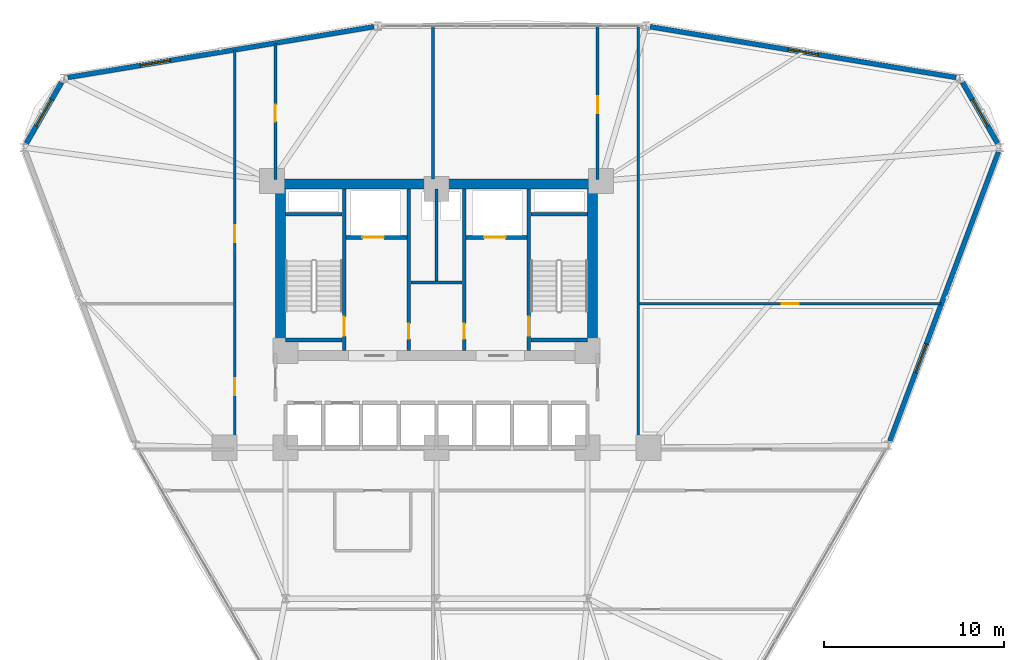
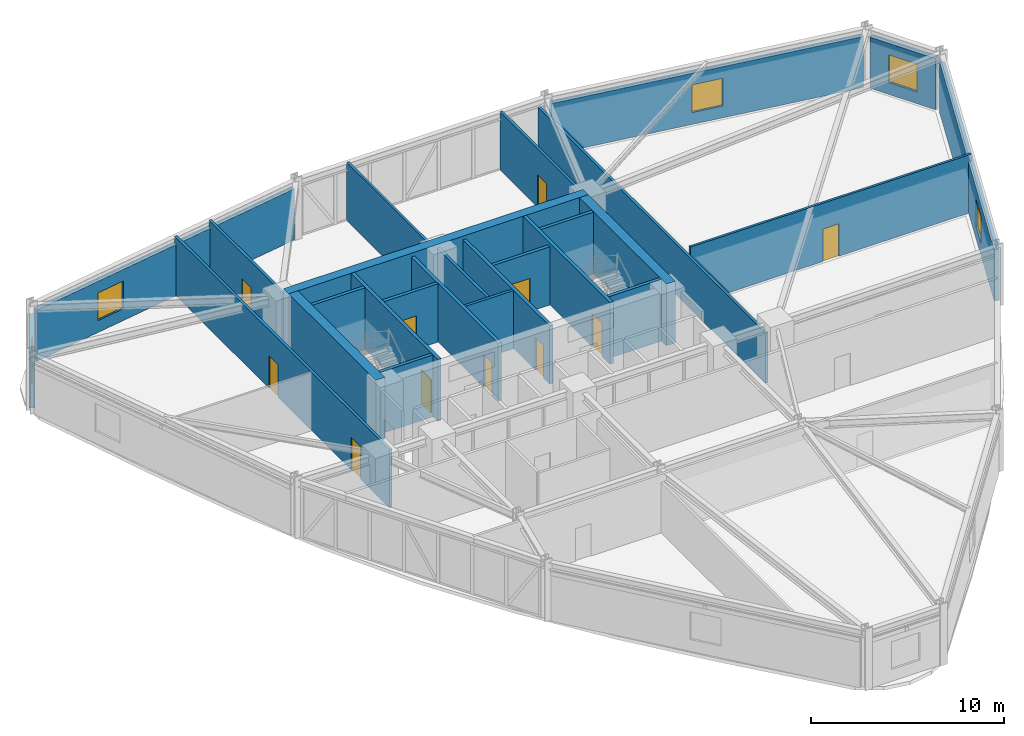
# One storey, part 15 of 20: 26 walls, 11 doors, 5 windows, 16 openings.
"""IFC4 building model written with IfcOpenShell, lengths in metres."""

from ifc_helpers import new_model, si_unit, derived_unit, direction, frame, frame_2d, origin, place, context, subcontext, project, spatial, rectangle, extrude, material, layer, layer_set, type_object, element, fill, save


model = new_model("IFC4")

# Units and contexts
model_context = context("Model", 3, precision=1e-05, world=origin(), true_north=direction((0.0, 1.0)))
body_context = subcontext(model_context, "Body", "Model", "MODEL_VIEW")
ifc_project = project(units=[si_unit("LENGTHUNIT", "METRE"), si_unit("AREAUNIT", "SQUARE_METRE"), si_unit("VOLUMEUNIT", "CUBIC_METRE"), si_unit("PLANEANGLEUNIT", "RADIAN"), si_unit("MASSUNIT", "GRAM", prefix="KILO"), derived_unit("THERMALTRANSMITTANCEUNIT", [(si_unit("POWERUNIT", "WATT"), 1), (si_unit("LENGTHUNIT", "METRE"), -2), (si_unit("THERMODYNAMICTEMPERATUREUNIT", "KELVIN"), -1)])], contexts=[model_context])

# Site, building, storey
site_placement = place(None, origin())
site = spatial("IfcSite", under=ifc_project, at=site_placement, CompositionType="ELEMENT")
building_placement = place(site_placement, origin())
building = spatial("IfcBuilding", under=site, at=building_placement, Name="Korsvarv Bourse and Concert Hall", CompositionType="ELEMENT")
storey_placement = place(building_placement, frame((0.0, 0.0, 75.60009765625)))
storey = spatial("IfcBuildingStorey", under=building, at=storey_placement, Name="L18", CompositionType="ELEMENT", Elevation=75.60009765625)

# Wall, opening, door
ifc_material_1 = material(Name="Concrete C50/60", Category="concrete")
ifc_layer_1 = layer(ifc_material_1, 0.3798828125)
ifc_layer_set_1 = layer_set([ifc_layer_1], Name="Concrete C50/60")
wall_type_1 = type_object("IfcWallType", Name="WL-CORE-380", PredefinedType="SHEAR", material=ifc_layer_set_1)
wall_1_placement = place(storey_placement, frame((30.860107421875, 37.81005859375, 0.0), z_axis=(0.0, 0.0, 1.0), x_axis=(0.0, 1.0, 0.0)))
wall_1 = element("IfcWall", 1, at=wall_1_placement, inside=storey, type_object=wall_type_1, Name="L18 stair shaft structural wall W-L18-ST1-E", PredefinedType="SHEAR", context=body_context, shape_type="SweptSolid", body=[
    extrude(rectangle(XDim=8.97998046875, YDim=0.199951171875, at=frame_2d((4.489990234375, 0.0))), origin(), (0.0, 0.0, 1.0), 3.89990234375),
])
opening_1_placement = place(wall_1_placement, frame((0.820068359375, 0.0, 0.0)))
opening_1 = element("IfcOpeningElement", 2, at=opening_1_placement, cuts=wall_1, Name="Opening D-01", PredefinedType="OPENING", context=body_context, shape_type="SweptSolid", body=[
    extrude(rectangle(XDim=1.050048828125, YDim=2.10009765625, at=frame_2d((0.52490234375, 1.050048828125))), frame((0.0, 0.10986328125, 0.0), z_axis=(0.0, -1.0, 0.0), x_axis=(1.0, 0.0, 0.0)), (0.0, 0.0, 1.0), 0.219970703125),
])
ifc_material_2 = material(Name="Steel S355 fire door", Category="steel")
door_type_1 = type_object("IfcDoorType", Name="DR-FD60", OperationType="NOTDEFINED", PredefinedType="DOOR", material=ifc_material_2)
door_1_placement = place(opening_1_placement, origin())
door_1 = element("IfcDoor", 3, at=door_1_placement, inside=storey, type_object=door_type_1, Name="L18 interior door DR-L18-ST1", OperationType="SINGLE_SWING_RIGHT", OverallHeight=2.10009765625, OverallWidth=1.050048828125, PredefinedType="DOOR", context=body_context, shape_type="SweptSolid", body=[
    extrude(rectangle(XDim=1.050048828125, YDim=2.10009765625, at=frame_2d((0.52490234375, 1.050048828125))), frame((0.0, 0.02490234375, 0.0), z_axis=(0.0, -1.0, 0.0), x_axis=(1.0, 0.0, 0.0)), (0.0, 0.0, 1.0), 0.050048828125),
])
fill(opening_1, door_1)

# Walls
for number, where, z_axis, x_axis, name in (
    (4, (27.610107421875, 45.39990234375, 0.0), (0.0, 0.0, 1.0), (1.0, 0.0, 0.0), "L18 stair shaft structural wall W-L18-ST1-N"),
    (5, (27.610107421875, 38.39990234375, 0.0), (0.0, 0.0, 1.0), (1.0, 0.0, 0.0), "L18 stair shaft structural wall W-L18-ST1-S"),
):
    element("IfcWall", number, at=place(storey_placement, frame(where, z_axis=z_axis, x_axis=x_axis)), inside=storey, type_object=wall_type_1, Name=name, PredefinedType="SHEAR", context=body_context, shape_type="SweptSolid", body=[
        extrude(rectangle(XDim=3.139892578125, YDim=0.199951171875, at=frame_2d((1.56982421875, 0.0))), origin(), (0.0, 0.0, 1.0), 3.89990234375),
    ])

# Wall, opening, door
wall_2_placement = place(storey_placement, frame((41.139892578125, 37.81005859375, 0.0), z_axis=(0.0, 0.0, 1.0), x_axis=(0.0, 1.0, 0.0)))
wall_2 = element("IfcWall", 6, at=wall_2_placement, inside=storey, type_object=wall_type_1, Name="L18 stair shaft structural wall W-L18-ST2-W", PredefinedType="SHEAR", context=body_context, shape_type="SweptSolid", body=[
    extrude(rectangle(XDim=8.97998046875, YDim=0.199951171875, at=frame_2d((4.489990234375, 0.0))), origin(), (0.0, 0.0, 1.0), 3.89990234375),
])
opening_2_placement = place(wall_2_placement, frame((0.820068359375, 0.0, 0.0)))
opening_2 = element("IfcOpeningElement", 7, at=opening_2_placement, cuts=wall_2, Name="Opening D-01", PredefinedType="OPENING", context=body_context, shape_type="SweptSolid", body=[
    extrude(rectangle(XDim=1.050048828125, YDim=2.10009765625, at=frame_2d((0.52490234375, 1.050048828125))), frame((0.0, 0.10986328125, 0.0), z_axis=(0.0, -1.0, 0.0), x_axis=(1.0, 0.0, 0.0)), (0.0, 0.0, 1.0), 0.219970703125),
])
door_2_placement = place(opening_2_placement, frame((1.050048828125, 0.0, 0.0), z_axis=(0.0, 0.0, 1.0), x_axis=(-1.0, 0.0, 0.0)))
door_2 = element("IfcDoor", 8, at=door_2_placement, inside=storey, type_object=door_type_1, Name="L18 interior door DR-L18-ST2", OperationType="SINGLE_SWING_LEFT", OverallHeight=2.10009765625, OverallWidth=1.050048828125, PredefinedType="DOOR", context=body_context, shape_type="SweptSolid", body=[
    extrude(rectangle(XDim=1.050048828125, YDim=2.10009765625, at=frame_2d((0.52490234375, 1.050048828125))), frame((0.0, 0.02490234375, 0.0), z_axis=(0.0, -1.0, 0.0), x_axis=(1.0, 0.0, 0.0)), (0.0, 0.0, 1.0), 0.050048828125),
])
fill(opening_2, door_2)

# Walls
for number, where, z_axis, x_axis, name in (
    (9, (41.25, 45.39990234375, 0.0), (0.0, 0.0, 1.0), (1.0, 0.0, 0.0), "L18 stair shaft structural wall W-L18-ST2-N"),
    (10, (41.25, 38.39990234375, 0.0), (0.0, 0.0, 1.0), (1.0, 0.0, 0.0), "L18 stair shaft structural wall W-L18-ST2-S"),
):
    element("IfcWall", number, at=place(storey_placement, frame(where, z_axis=z_axis, x_axis=x_axis)), inside=storey, type_object=wall_type_1, Name=name, PredefinedType="SHEAR", context=body_context, shape_type="SweptSolid", body=[
        extrude(rectangle(XDim=3.139892578125, YDim=0.199951171875, at=frame_2d((1.56982421875, 0.0))), origin(), (0.0, 0.0, 1.0), 3.89990234375),
    ])
ifc_material_3 = material(Name="Concrete C60/75", Category="concrete")
ifc_layer_2 = layer(ifc_material_3, 0.550048828125)
ifc_layer_set_2 = layer_set([ifc_layer_2], Name="Concrete C60/75")
wall_type_2 = type_object("IfcWallType", Name="WL-CORE-550", PredefinedType="SHEAR", material=ifc_layer_set_2)
wall_3_placement = place(storey_placement, frame((27.050048828125, 47.074951171875, 0.0), z_axis=(0.0, 0.0, 1.0), x_axis=(1.0, 0.0, 0.0)))
element("IfcWall", 11, at=wall_3_placement, inside=storey, type_object=wall_type_2, Name="L18 North Core Shear Wall", PredefinedType="SHEAR", context=body_context, shape_type="SweptSolid", body=[
    extrude(rectangle(XDim=17.89990234375, YDim=0.550048828125, at=frame_2d((8.949951171875, 0.0))), origin(), (0.0, 0.0, 1.0), 3.89990234375),
])
for number, where, z_axis, x_axis, name in (
    (12, (27.324951171875, 37.800048828125, 0.0), (0.0, 0.0, 1.0), (0.0, 1.0, 0.0), "L18 West Core Shear Wall"),
    (13, (44.675048828125, 37.800048828125, 0.0), (0.0, 0.0, 1.0), (0.0, 1.0, 0.0), "L18 East Core Shear Wall"),
):
    element("IfcWall", number, at=place(storey_placement, frame(where, z_axis=z_axis, x_axis=x_axis)), inside=storey, type_object=wall_type_2, Name=name, PredefinedType="SHEAR", context=body_context, shape_type="SweptSolid", body=[
        extrude(rectangle(XDim=9.0, YDim=0.550048828125, at=frame_2d((4.5, 0.0))), origin(), (0.0, 0.0, 1.0), 3.89990234375),
    ])

# Wall, opening, window
ifc_material_4 = material(Name="Precast concrete C45/55 with terracotta rainscreen", Category="concrete")
ifc_layer_3 = layer(ifc_material_4, 0.300048828125)
ifc_layer_set_3 = layer_set([ifc_layer_3], Name="Precast concrete C45/55 with terracotta rainscreen")
wall_type_3 = type_object("IfcWallType", Name="WL-EXT-TC1", PredefinedType="SOLIDWALL", material=ifc_layer_set_3)
wall_4_placement = place(storey_placement, frame((67.222412109375, 49.34423828125, 0.0), z_axis=(0.0, 0.0, 1.0), x_axis=(-0.500014353419, 0.866017116675, 0.0)))
wall_4 = element("IfcWall", 14, at=wall_4_placement, inside=storey, type_object=wall_type_3, Name="L18 terracotta exterior wall EW-L18-B01", PredefinedType="SOLIDWALL", context=body_context, shape_type="SweptSolid", body=[
    extrude(rectangle(XDim=3.90966796875, YDim=0.300048828125, at=frame_2d((1.954833984375, 0.0))), origin(), (0.0, 0.0, 1.0), 3.22998046875),
])
opening_3_placement = place(wall_4_placement, frame((1.104736328125, 0.0, 0.75)))
opening_3 = element("IfcOpeningElement", 15, at=opening_3_placement, cuts=wall_4, Name="Opening W-01", PredefinedType="OPENING", context=body_context, shape_type="SweptSolid", body=[
    extrude(rectangle(XDim=1.699951171875, YDim=1.75, at=frame_2d((0.85009765625, 0.875))), frame((0.0, 0.16015625, 0.0), z_axis=(0.0, -1.0, 0.0), x_axis=(1.0, 0.0, 0.0)), (0.0, 0.0, 1.0), 0.320068359375),
])
ifc_material_5 = material(Name="Thermally broken aluminium frame with triple low-E glass", Category="glass")
window_type = type_object("IfcWindowType", Name="WIN-TW1", PartitioningType="SINGLE_PANEL", PredefinedType="WINDOW", material=ifc_material_5)
window_1_placement = place(opening_3_placement, origin())
window_1 = element("IfcWindow", 16, at=window_1_placement, inside=storey, type_object=window_type, Name="L18 punched facade window W-01", OverallHeight=1.75, OverallWidth=1.699951171875, PartitioningType="SINGLE_PANEL", PredefinedType="WINDOW", context=body_context, shape_type="SweptSolid", body=[
    extrude(rectangle(XDim=1.699951171875, YDim=1.75, at=frame_2d((0.85009765625, 0.875))), frame((0.0, 0.030029296875, 0.0), z_axis=(0.0, -1.0, 0.0), x_axis=(1.0, 0.0, 0.0)), (0.0, 0.0, 1.0), 0.06005859375),
])
fill(opening_3, window_1)

wall_5_placement = place(storey_placement, frame((15.13232421875, 52.72998046875, 0.0), z_axis=(0.0, 0.0, 1.0), x_axis=(-0.500014353419, -0.866017116675, 0.0)))
wall_5 = element("IfcWall", 17, at=wall_5_placement, inside=storey, type_object=wall_type_3, Name="L18 terracotta exterior wall EW-L18-B05", PredefinedType="SOLIDWALL", context=body_context, shape_type="SweptSolid", body=[
    extrude(rectangle(XDim=3.90966796875, YDim=0.300048828125, at=frame_2d((1.954833984375, 0.0))), origin(), (0.0, 0.0, 1.0), 3.22998046875),
])
opening_4_placement = place(wall_5_placement, frame((1.104736328125, 0.0, 0.75)))
opening_4 = element("IfcOpeningElement", 18, at=opening_4_placement, cuts=wall_5, Name="Opening W-01", PredefinedType="OPENING", context=body_context, shape_type="SweptSolid", body=[
    extrude(rectangle(XDim=1.699951171875, YDim=1.75, at=frame_2d((0.85009765625, 0.875))), frame((0.0, 0.16015625, 0.0), z_axis=(0.0, -1.0, 0.0), x_axis=(1.0, 0.0, 0.0)), (0.0, 0.0, 1.0), 0.320068359375),
])
window_2_placement = place(opening_4_placement, origin())
window_2 = element("IfcWindow", 19, at=window_2_placement, inside=storey, type_object=window_type, Name="L18 punched facade window W-01", OverallHeight=1.75, OverallWidth=1.699951171875, PartitioningType="SINGLE_PANEL", PredefinedType="WINDOW", context=body_context, shape_type="SweptSolid", body=[
    extrude(rectangle(XDim=1.699951171875, YDim=1.75, at=frame_2d((0.85009765625, 0.875))), frame((0.0, 0.030029296875, 0.0), z_axis=(0.0, -1.0, 0.0), x_axis=(1.0, 0.0, 0.0)), (0.0, 0.0, 1.0), 0.06005859375),
])
fill(opening_4, window_2)

ifc_material_6 = material(Name="Precast concrete C45/55 with fluted terracotta pier", Category="concrete")
ifc_layer_4 = layer(ifc_material_6, 0.280029296875)
ifc_layer_set_4 = layer_set([ifc_layer_4], Name="Precast concrete C45/55 with fluted terracotta pier")
wall_type_4 = type_object("IfcWallType", Name="WL-EXT-TC2", PredefinedType="SOLIDWALL", material=ifc_layer_set_4)
wall_6_placement = place(storey_placement, frame((64.910888671875, 53.008056640625, 0.0), z_axis=(0.0, 0.0, 1.0), x_axis=(-0.986523232029, 0.163621247604, 0.0)))
wall_6 = element("IfcWall", 20, at=wall_6_placement, inside=storey, type_object=wall_type_4, Name="L18 terracotta exterior wall EW-L18-B02", PredefinedType="SOLIDWALL", context=body_context, shape_type="SweptSolid", body=[
    extrude(rectangle(XDim=17.2578125, YDim=0.280029296875, at=frame_2d((8.62890625, 0.0))), origin(), (0.0, 0.0, 1.0), 3.22998046875),
])
opening_5_placement = place(wall_6_placement, frame((7.77880859375, 0.0, 0.75)))
opening_5 = element("IfcOpeningElement", 21, at=opening_5_placement, cuts=wall_6, Name="Opening W-01", PredefinedType="OPENING", context=body_context, shape_type="SweptSolid", body=[
    extrude(rectangle(XDim=1.699951171875, YDim=1.75, at=frame_2d((0.85009765625, 0.875))), frame((0.0, 0.14990234375, 0.0), z_axis=(0.0, -1.0, 0.0), x_axis=(1.0, 0.0, 0.0)), (0.0, 0.0, 1.0), 0.300048828125),
])
window_3_placement = place(opening_5_placement, origin())
window_3 = element("IfcWindow", 22, at=window_3_placement, inside=storey, type_object=window_type, Name="L18 punched facade window W-01", OverallHeight=1.75, OverallWidth=1.699951171875, PartitioningType="SINGLE_PANEL", PredefinedType="WINDOW", context=body_context, shape_type="SweptSolid", body=[
    extrude(rectangle(XDim=1.699951171875, YDim=1.75, at=frame_2d((0.85009765625, 0.875))), frame((0.0, 0.030029296875, 0.0), z_axis=(0.0, -1.0, 0.0), x_axis=(1.0, 0.0, 0.0)), (0.0, 0.0, 1.0), 0.06005859375),
])
fill(opening_5, window_3)

wall_7_placement = place(storey_placement, frame((32.514404296875, 55.831787109375, 0.0), z_axis=(0.0, 0.0, 1.0), x_axis=(-0.986523610756, -0.163618964122, 0.0)))
wall_7 = element("IfcWall", 23, at=wall_7_placement, inside=storey, type_object=wall_type_4, Name="L18 terracotta exterior wall EW-L18-B04", PredefinedType="SOLIDWALL", context=body_context, shape_type="SweptSolid", body=[
    extrude(rectangle(XDim=17.258056640625, YDim=0.280029296875, at=frame_2d((8.62890625, 0.0))), origin(), (0.0, 0.0, 1.0), 3.22998046875),
])
opening_6_placement = place(wall_7_placement, frame((11.468505859375, 0.0, 0.75)))
opening_6 = element("IfcOpeningElement", 24, at=opening_6_placement, cuts=wall_7, Name="Opening W-01", PredefinedType="OPENING", context=body_context, shape_type="SweptSolid", body=[
    extrude(rectangle(XDim=1.699951171875, YDim=1.75, at=frame_2d((0.85009765625, 0.875))), frame((0.0, 0.14990234375, 0.0), z_axis=(0.0, -1.0, 0.0), x_axis=(1.0, 0.0, 0.0)), (0.0, 0.0, 1.0), 0.300048828125),
])
window_4_placement = place(opening_6_placement, origin())
window_4 = element("IfcWindow", 25, at=window_4_placement, inside=storey, type_object=window_type, Name="L18 punched facade window W-01", OverallHeight=1.75, OverallWidth=1.699951171875, PartitioningType="SINGLE_PANEL", PredefinedType="WINDOW", context=body_context, shape_type="SweptSolid", body=[
    extrude(rectangle(XDim=1.699951171875, YDim=1.75, at=frame_2d((0.85009765625, 0.875))), frame((0.0, 0.030029296875, 0.0), z_axis=(0.0, -1.0, 0.0), x_axis=(1.0, 0.0, 0.0)), (0.0, 0.0, 1.0), 0.06005859375),
])
fill(opening_6, window_4)

wall_8_placement = place(storey_placement, frame((61.231201171875, 32.776123046875, 0.0), z_axis=(0.0, 0.0, 1.0), x_axis=(0.351559441404, 0.936165561832, 0.0)))
wall_8 = element("IfcWall", 26, at=wall_8_placement, inside=storey, type_object=wall_type_4, Name="L18 terracotta exterior wall EW-L18-B12", PredefinedType="SOLIDWALL", context=body_context, shape_type="SweptSolid", body=[
    extrude(rectangle(XDim=17.1806640625, YDim=0.280029296875, at=frame_2d((8.59033203125, 0.0))), origin(), (0.0, 0.0, 1.0), 3.22998046875),
])
opening_7_placement = place(wall_8_placement, frame((4.0703125, 0.0, 0.75)))
opening_7 = element("IfcOpeningElement", 27, at=opening_7_placement, cuts=wall_8, Name="Opening W-01", PredefinedType="OPENING", context=body_context, shape_type="SweptSolid", body=[
    extrude(rectangle(XDim=1.699951171875, YDim=1.75, at=frame_2d((0.85009765625, 0.875))), frame((0.0, 0.14990234375, 0.0), z_axis=(0.0, -1.0, 0.0), x_axis=(1.0, 0.0, 0.0)), (0.0, 0.0, 1.0), 0.300048828125),
])
window_5_placement = place(opening_7_placement, origin())
window_5 = element("IfcWindow", 28, at=window_5_placement, inside=storey, type_object=window_type, Name="L18 punched facade window W-01", OverallHeight=1.75, OverallWidth=1.699951171875, PartitioningType="SINGLE_PANEL", PredefinedType="WINDOW", context=body_context, shape_type="SweptSolid", body=[
    extrude(rectangle(XDim=1.699951171875, YDim=1.75, at=frame_2d((0.85009765625, 0.875))), frame((0.0, 0.030029296875, 0.0), z_axis=(0.0, -1.0, 0.0), x_axis=(1.0, 0.0, 0.0)), (0.0, 0.0, 1.0), 0.06005859375),
])
fill(opening_7, window_5)

# Wall, opening, door
ifc_material_7 = material(Name="Reinforced concrete blockwork C35/45 fire wall", Category="concrete")
ifc_layer_5 = layer(ifc_material_7, 0.199951171875)
ifc_layer_set_5 = layer_set([ifc_layer_5], Name="Reinforced concrete blockwork C35/45 fire wall")
wall_type_5 = type_object("IfcWallType", Name="WL-INT-EI120", PredefinedType="PARTITIONING", material=ifc_layer_set_5)
wall_9_placement = place(storey_placement, frame((30.969970703125, 44.10009765625, 0.0), z_axis=(0.0, 0.0, 1.0), x_axis=(1.0, 0.0, 0.0)))
wall_9 = element("IfcWall", 29, at=wall_9_placement, inside=storey, type_object=wall_type_5, Name="L18 interior partition wall W-L18-FF1-S", PredefinedType="PARTITIONING", context=body_context, shape_type="SweptSolid", body=[
    extrude(rectangle(XDim=3.380126953125, YDim=0.199951171875, at=frame_2d((1.68994140625, 0.0))), origin(), (0.0, 0.0, 1.0), 3.679931640625),
])
opening_8_placement = place(wall_9_placement, frame((0.89990234375, 0.0, 0.0)))
opening_8 = element("IfcOpeningElement", 30, at=opening_8_placement, cuts=wall_9, Name="Opening LD-1", PredefinedType="OPENING", context=body_context, shape_type="SweptSolid", body=[
    extrude(rectangle(XDim=1.199951171875, YDim=2.10009765625, at=frame_2d((0.60009765625, 1.050048828125))), frame((0.0, 0.10986328125, 0.0), z_axis=(0.0, -1.0, 0.0), x_axis=(1.0, 0.0, 0.0)), (0.0, 0.0, 1.0), 0.219970703125),
])
ifc_material_8 = material(Name="Stainless Steel S355 firefighting lift landing door", Category="steel")
door_type_2 = type_object("IfcDoorType", Name="DR-LIFT-FF", OperationType="DOUBLE_DOOR_SLIDING", PredefinedType="DOOR", material=ifc_material_8)
door_3_placement = place(opening_8_placement, origin())
door_3 = element("IfcDoor", 31, at=door_3_placement, inside=storey, type_object=door_type_2, Name="L18 lift sliding landing door LD-L18-FF1", OperationType="DOUBLE_DOOR_SLIDING", OverallHeight=2.10009765625, OverallWidth=1.199951171875, PredefinedType="DOOR", context=body_context, shape_type="SweptSolid", body=[
    extrude(rectangle(XDim=1.199951171875, YDim=2.10009765625, at=frame_2d((0.60009765625, 1.050048828125))), frame((0.0, 0.02490234375, 0.0), z_axis=(0.0, -1.0, 0.0), x_axis=(1.0, 0.0, 0.0)), (0.0, 0.0, 1.0), 0.050048828125),
])
fill(opening_8, door_3)

wall_10_placement = place(storey_placement, frame((37.64990234375, 44.10009765625, 0.0), z_axis=(0.0, 0.0, 1.0), x_axis=(1.0, 0.0, 0.0)))
wall_10 = element("IfcWall", 32, at=wall_10_placement, inside=storey, type_object=wall_type_5, Name="L18 interior partition wall W-L18-FF2-S", PredefinedType="PARTITIONING", context=body_context, shape_type="SweptSolid", body=[
    extrude(rectangle(XDim=3.380126953125, YDim=0.199951171875, at=frame_2d((1.68994140625, 0.0))), origin(), (0.0, 0.0, 1.0), 3.679931640625),
])
opening_9_placement = place(wall_10_placement, frame((1.0, 0.0, 0.0)))
opening_9 = element("IfcOpeningElement", 33, at=opening_9_placement, cuts=wall_10, Name="Opening LD-1", PredefinedType="OPENING", context=body_context, shape_type="SweptSolid", body=[
    extrude(rectangle(XDim=1.199951171875, YDim=2.10009765625, at=frame_2d((0.60009765625, 1.050048828125))), frame((0.0, 0.10986328125, 0.0), z_axis=(0.0, -1.0, 0.0), x_axis=(1.0, 0.0, 0.0)), (0.0, 0.0, 1.0), 0.219970703125),
])
door_4_placement = place(opening_9_placement, origin())
door_4 = element("IfcDoor", 34, at=door_4_placement, inside=storey, type_object=door_type_2, Name="L18 lift sliding landing door LD-L18-FF2", OperationType="DOUBLE_DOOR_SLIDING", OverallHeight=2.10009765625, OverallWidth=1.199951171875, PredefinedType="DOOR", context=body_context, shape_type="SweptSolid", body=[
    extrude(rectangle(XDim=1.199951171875, YDim=2.10009765625, at=frame_2d((0.60009765625, 1.050048828125))), frame((0.0, 0.02490234375, 0.0), z_axis=(0.0, -1.0, 0.0), x_axis=(1.0, 0.0, 0.0)), (0.0, 0.0, 1.0), 0.050048828125),
])
fill(opening_9, door_4)

wall_11_placement = place(storey_placement, frame((34.4599609375, 37.81005859375, 0.0), z_axis=(0.0, 0.0, 1.0), x_axis=(0.0, 1.0, 0.0)))
wall_11 = element("IfcWall", 35, at=wall_11_placement, inside=storey, type_object=wall_type_5, Name="L18 interior partition wall W-L18-CSB-W", PredefinedType="PARTITIONING", context=body_context, shape_type="SweptSolid", body=[
    extrude(rectangle(XDim=8.97998046875, YDim=0.199951171875, at=frame_2d((4.489990234375, 0.0))), origin(), (0.0, 0.0, 1.0), 3.679931640625),
])
opening_10_placement = place(wall_11_placement, frame((0.64990234375, 0.0, 0.0)))
opening_10 = element("IfcOpeningElement", 36, at=opening_10_placement, cuts=wall_11, Name="Opening D-05", PredefinedType="OPENING", context=body_context, shape_type="SweptSolid", body=[
    extrude(rectangle(XDim=0.85009765625, YDim=2.050048828125, at=frame_2d((0.425048828125, 1.02490234375))), frame((0.0, 0.10986328125, 0.0), z_axis=(0.0, -1.0, 0.0), x_axis=(1.0, 0.0, 0.0)), (0.0, 0.0, 1.0), 0.219970703125),
])
door_type_3 = type_object("IfcDoorType", Name="DR-FD60-850X2050", OperationType="NOTDEFINED", PredefinedType="DOOR", material=ifc_material_2)
door_5_placement = place(opening_10_placement, frame((0.85009765625, 0.0, 0.0), z_axis=(0.0, 0.0, 1.0), x_axis=(-1.0, 0.0, 0.0)))
door_5 = element("IfcDoor", 37, at=door_5_placement, inside=storey, type_object=door_type_3, Name="L18 interior door DR-L18-CSB1", OperationType="SINGLE_SWING_RIGHT", OverallHeight=2.050048828125, OverallWidth=0.85009765625, PredefinedType="DOOR", context=body_context, shape_type="SweptSolid", body=[
    extrude(rectangle(XDim=0.85009765625, YDim=2.050048828125, at=frame_2d((0.425048828125, 1.02490234375))), frame((0.0, 0.02490234375, 0.0), z_axis=(0.0, -1.0, 0.0), x_axis=(1.0, 0.0, 0.0)), (0.0, 0.0, 1.0), 0.050048828125),
])
fill(opening_10, door_5)

wall_12_placement = place(storey_placement, frame((37.5400390625, 37.81005859375, 0.0), z_axis=(0.0, 0.0, 1.0), x_axis=(0.0, 1.0, 0.0)))
wall_12 = element("IfcWall", 38, at=wall_12_placement, inside=storey, type_object=wall_type_5, Name="L18 interior partition wall W-L18-CSB-E", PredefinedType="PARTITIONING", context=body_context, shape_type="SweptSolid", body=[
    extrude(rectangle(XDim=8.97998046875, YDim=0.199951171875, at=frame_2d((4.489990234375, 0.0))), origin(), (0.0, 0.0, 1.0), 3.679931640625),
])
opening_11_placement = place(wall_12_placement, frame((0.64990234375, 0.0, 0.0)))
opening_11 = element("IfcOpeningElement", 39, at=opening_11_placement, cuts=wall_12, Name="Opening D-05", PredefinedType="OPENING", context=body_context, shape_type="SweptSolid", body=[
    extrude(rectangle(XDim=0.85009765625, YDim=2.050048828125, at=frame_2d((0.425048828125, 1.02490234375))), frame((0.0, 0.10986328125, 0.0), z_axis=(0.0, -1.0, 0.0), x_axis=(1.0, 0.0, 0.0)), (0.0, 0.0, 1.0), 0.219970703125),
])
door_6_placement = place(opening_11_placement, origin())
door_6 = element("IfcDoor", 40, at=door_6_placement, inside=storey, type_object=door_type_3, Name="L18 interior door DR-L18-CSB2", OperationType="SINGLE_SWING_LEFT", OverallHeight=2.050048828125, OverallWidth=0.85009765625, PredefinedType="DOOR", context=body_context, shape_type="SweptSolid", body=[
    extrude(rectangle(XDim=0.85009765625, YDim=2.050048828125, at=frame_2d((0.425048828125, 1.02490234375))), frame((0.0, 0.02490234375, 0.0), z_axis=(0.0, -1.0, 0.0), x_axis=(1.0, 0.0, 0.0)), (0.0, 0.0, 1.0), 0.050048828125),
])
fill(opening_11, door_6)

# Walls
ifc_material_9 = material(Name="Double-stud fire-rated acoustic partition", Category="gypsum")
ifc_layer_6 = layer(ifc_material_9, 0.159912109375)
ifc_layer_set_6 = layer_set([ifc_layer_6], Name="Double-stud fire-rated acoustic partition")
wall_type_6 = type_object("IfcWallType", Name="WL-INT-EI60", PredefinedType="PARTITIONING", material=ifc_layer_set_6)
wall_13_placement = place(storey_placement, frame((34.570068359375, 41.60009765625, 0.0), z_axis=(0.0, 0.0, 1.0), x_axis=(1.0, 0.0, 0.0)))
element("IfcWall", 41, at=wall_13_placement, inside=storey, type_object=wall_type_6, Name="L18 interior partition wall W-L18-K1", PredefinedType="PARTITIONING", context=body_context, shape_type="SweptSolid", body=[
    extrude(rectangle(XDim=2.85986328125, YDim=0.159912109375, at=frame_2d((1.429931640625, 0.0))), origin(), (0.0, 0.0, 1.0), 3.679931640625),
])
wall_14_placement = place(storey_placement, frame((36.0048828125, 41.68994140625, 0.0), z_axis=(0.0, 0.0, 1.0), x_axis=(0.0, 1.0, 0.0)))
element("IfcWall", 42, at=wall_14_placement, inside=storey, type_object=wall_type_6, Name="L18 interior partition wall W-L18-K2", PredefinedType="PARTITIONING", context=body_context, shape_type="SweptSolid", body=[
    extrude(rectangle(XDim=5.10009765625, YDim=0.159912109375, at=frame_2d((2.550048828125, 0.0))), origin(), (0.0, 0.0, 1.0), 3.679931640625),
])
wall_15_placement = place(storey_placement, frame((47.22509765625, 32.31005859375, 0.0), z_axis=(0.0, 0.0, 1.0), x_axis=(0.0, 1.0, 0.0)))
element("IfcWall", 43, at=wall_15_placement, inside=storey, type_object=wall_type_6, Name="L18 interior partition wall W-L18-TCOR-02", PredefinedType="PARTITIONING", context=body_context, shape_type="SweptSolid", body=[
    extrude(rectangle(XDim=23.53759765625, YDim=0.159912109375, at=frame_2d((11.768798828125, 0.0))), origin(), (0.0, 0.0, 1.0), 3.179931640625),
])

# Wall, openings, doors
wall_16_placement = place(storey_placement, frame((24.77490234375, 32.31005859375, 0.0), z_axis=(0.0, 0.0, 1.0), x_axis=(0.0, 1.0, 0.0)))
wall_16 = element("IfcWall", 44, at=wall_16_placement, inside=storey, type_object=wall_type_6, Name="L18 interior partition wall W-L18-TCOR-03", PredefinedType="PARTITIONING", context=body_context, shape_type="SweptSolid", body=[
    extrude(rectangle(XDim=22.218017578125, YDim=0.159912109375, at=frame_2d((11.10888671875, 0.0))), origin(), (0.0, 0.0, 1.0), 3.679931640625),
])
opening_12_placement = place(wall_16_placement, frame((3.00537109375, 0.0, 0.0)))
opening_12 = element("IfcOpeningElement", 45, at=opening_12_placement, cuts=wall_16, Name="Opening D-02", PredefinedType="OPENING", context=body_context, shape_type="SweptSolid", body=[
    extrude(rectangle(XDim=0.949951171875, YDim=2.050048828125, at=frame_2d((0.47509765625, 1.02490234375))), frame((0.0, 0.08984375, 0.0), z_axis=(0.0, -1.0, 0.0), x_axis=(1.0, 0.0, 0.0)), (0.0, 0.0, 1.0), 0.179931640625),
])
opening_13_placement = place(wall_16_placement, frame((11.515625, 0.0, 0.0)))
opening_13 = element("IfcOpeningElement", 46, at=opening_13_placement, cuts=wall_16, Name="Opening D-02", PredefinedType="OPENING", context=body_context, shape_type="SweptSolid", body=[
    extrude(rectangle(XDim=0.949951171875, YDim=2.050048828125, at=frame_2d((0.47509765625, 1.02490234375))), frame((0.0, 0.08984375, 0.0), z_axis=(0.0, -1.0, 0.0), x_axis=(1.0, 0.0, 0.0)), (0.0, 0.0, 1.0), 0.179931640625),
])
ifc_material_10 = material(Name="Timber and steel acoustic fire door", Category="wood")
door_type_4 = type_object("IfcDoorType", Name="DR-FD30", OperationType="NOTDEFINED", PredefinedType="DOOR", material=ifc_material_10)
door_7_placement = place(opening_12_placement, origin())
door_7 = element("IfcDoor", 47, at=door_7_placement, inside=storey, type_object=door_type_4, Name="L18 interior door DR-L18-TCOR-NWL9", OperationType="SINGLE_SWING_LEFT", OverallHeight=2.050048828125, OverallWidth=0.949951171875, PredefinedType="DOOR", context=body_context, shape_type="SweptSolid", body=[
    extrude(rectangle(XDim=0.949951171875, YDim=2.050048828125, at=frame_2d((0.47509765625, 1.02490234375))), frame((0.0, 0.02490234375, 0.0), z_axis=(0.0, -1.0, 0.0), x_axis=(1.0, 0.0, 0.0)), (0.0, 0.0, 1.0), 0.050048828125),
])
fill(opening_12, door_7)
door_8_placement = place(opening_13_placement, origin())
door_8 = element("IfcDoor", 48, at=door_8_placement, inside=storey, type_object=door_type_4, Name="L18 interior door DR-L18-TCOR-NWC210", OperationType="SINGLE_SWING_RIGHT", OverallHeight=2.050048828125, OverallWidth=0.949951171875, PredefinedType="DOOR", context=body_context, shape_type="SweptSolid", body=[
    extrude(rectangle(XDim=0.949951171875, YDim=2.050048828125, at=frame_2d((0.47509765625, 1.02490234375))), frame((0.0, 0.02490234375, 0.0), z_axis=(0.0, -1.0, 0.0), x_axis=(1.0, 0.0, 0.0)), (0.0, 0.0, 1.0), 0.050048828125),
])
fill(opening_13, door_8)

# Wall, opening, door
wall_17_placement = place(storey_placement, frame((44.965087890625, 47.340087890625, 0.0), z_axis=(0.0, 0.0, 1.0), x_axis=(0.0, 1.0, 0.0)))
wall_17 = element("IfcWall", 49, at=wall_17_placement, inside=storey, type_object=wall_type_6, Name="L18 interior partition wall W-L18-TCOR-05", PredefinedType="PARTITIONING", context=body_context, shape_type="SweptSolid", body=[
    extrude(rectangle(XDim=8.507568359375, YDim=0.159912109375, at=frame_2d((4.25390625, 0.0))), origin(), (0.0, 0.0, 1.0), 3.679931640625),
])
opening_14_placement = place(wall_17_placement, frame((3.674072265625, 0.0, 0.0)))
opening_14 = element("IfcOpeningElement", 50, at=opening_14_placement, cuts=wall_17, Name="Opening D-02", PredefinedType="OPENING", context=body_context, shape_type="SweptSolid", body=[
    extrude(rectangle(XDim=0.949951171875, YDim=2.050048828125, at=frame_2d((0.47509765625, 1.02490234375))), frame((0.0, 0.08984375, 0.0), z_axis=(0.0, -1.0, 0.0), x_axis=(1.0, 0.0, 0.0)), (0.0, 0.0, 1.0), 0.179931640625),
])
door_9_placement = place(opening_14_placement, origin())
door_9 = element("IfcDoor", 51, at=door_9_placement, inside=storey, type_object=door_type_4, Name="L18 interior door DR-L18-TCOR-RM88", OperationType="SINGLE_SWING_RIGHT", OverallHeight=2.050048828125, OverallWidth=0.949951171875, PredefinedType="DOOR", context=body_context, shape_type="SweptSolid", body=[
    extrude(rectangle(XDim=0.949951171875, YDim=2.050048828125, at=frame_2d((0.47509765625, 1.02490234375))), frame((0.0, 0.02490234375, 0.0), z_axis=(0.0, -1.0, 0.0), x_axis=(1.0, 0.0, 0.0)), (0.0, 0.0, 1.0), 0.050048828125),
])
fill(opening_14, door_9)

wall_18_placement = place(storey_placement, frame((27.034912109375, 47.340087890625, 0.0), z_axis=(0.0, 0.0, 1.0), x_axis=(0.0, 1.0, 0.0)))
wall_18 = element("IfcWall", 52, at=wall_18_placement, inside=storey, type_object=wall_type_6, Name="L18 interior partition wall W-L18-TCOR-06", PredefinedType="PARTITIONING", context=body_context, shape_type="SweptSolid", body=[
    extrude(rectangle(XDim=7.562744140625, YDim=0.159912109375, at=frame_2d((3.78125, 0.0))), origin(), (0.0, 0.0, 1.0), 3.679931640625),
])
opening_15_placement = place(wall_18_placement, frame((3.20361328125, 0.0, 0.0)))
opening_15 = element("IfcOpeningElement", 53, at=opening_15_placement, cuts=wall_18, Name="Opening D-02", PredefinedType="OPENING", context=body_context, shape_type="SweptSolid", body=[
    extrude(rectangle(XDim=0.949951171875, YDim=2.050048828125, at=frame_2d((0.47509765625, 1.02490234375))), frame((0.0, 0.08984375, 0.0), z_axis=(0.0, -1.0, 0.0), x_axis=(1.0, 0.0, 0.0)), (0.0, 0.0, 1.0), 0.179931640625),
])
door_10_placement = place(opening_15_placement, origin())
door_10 = element("IfcDoor", 54, at=door_10_placement, inside=storey, type_object=door_type_4, Name="L18 interior door DR-L18-TCOR-RM77", OperationType="SINGLE_SWING_LEFT", OverallHeight=2.050048828125, OverallWidth=0.949951171875, PredefinedType="DOOR", context=body_context, shape_type="SweptSolid", body=[
    extrude(rectangle(XDim=0.949951171875, YDim=2.050048828125, at=frame_2d((0.47509765625, 1.02490234375))), frame((0.0, 0.02490234375, 0.0), z_axis=(0.0, -1.0, 0.0), x_axis=(1.0, 0.0, 0.0)), (0.0, 0.0, 1.0), 0.050048828125),
])
fill(opening_15, door_10)

ifc_material_11 = material(Name="Insulated steel-stud office acoustic partition", Category="gypsum")
ifc_layer_7 = layer(ifc_material_11, 0.139892578125)
ifc_layer_set_7 = layer_set([ifc_layer_7], Name="Insulated steel-stud office acoustic partition")
wall_type_7 = type_object("IfcWallType", Name="WL-INT-P1", PredefinedType="PARTITIONING", material=ifc_layer_set_7)
wall_19_placement = place(storey_placement, frame((47.306884765625, 40.405029296875, 0.0), z_axis=(0.0, 0.0, 1.0), x_axis=(1.0, 0.0, 0.0)))
wall_19 = element("IfcWall", 55, at=wall_19_placement, inside=storey, type_object=wall_type_7, Name="L18 interior partition wall W-L18-TCOR-10", PredefinedType="PARTITIONING", context=body_context, shape_type="SweptSolid", body=[
    extrude(rectangle(XDim=16.769287109375, YDim=0.139892578125, at=frame_2d((8.384765625, 0.0))), origin(), (0.0, 0.0, 1.0), 3.679931640625),
])
opening_16_placement = place(wall_19_placement, frame((7.909423828125, 0.0, 0.0)))
opening_16 = element("IfcOpeningElement", 56, at=opening_16_placement, cuts=wall_19, Name="Opening D-03", PredefinedType="OPENING", context=body_context, shape_type="SweptSolid", body=[
    extrude(rectangle(XDim=0.949951171875, YDim=2.050048828125, at=frame_2d((0.47509765625, 1.02490234375))), frame((0.0, 0.080078125, 0.0), z_axis=(0.0, -1.0, 0.0), x_axis=(1.0, 0.0, 0.0)), (0.0, 0.0, 1.0), 0.159912109375),
])
ifc_material_12 = material(Name="Nordic oak acoustic office door", Category="wood")
door_type_5 = type_object("IfcDoorType", Name="DR-INT-1", OperationType="NOTDEFINED", PredefinedType="DOOR", material=ifc_material_12)
door_11_placement = place(opening_16_placement, origin())
door_11 = element("IfcDoor", 57, at=door_11_placement, inside=storey, type_object=door_type_5, Name="L18 interior door DR-L18-TCOR-NEP22", OperationType="SINGLE_SWING_RIGHT", OverallHeight=2.050048828125, OverallWidth=0.949951171875, PredefinedType="DOOR", context=body_context, shape_type="SweptSolid", body=[
    extrude(rectangle(XDim=0.949951171875, YDim=2.050048828125, at=frame_2d((0.47509765625, 1.02490234375))), frame((0.0, 0.02490234375, 0.0), z_axis=(0.0, -1.0, 0.0), x_axis=(1.0, 0.0, 0.0)), (0.0, 0.0, 1.0), 0.050048828125),
])
fill(opening_16, door_11)

# Wall
wall_20_placement = place(storey_placement, frame((35.804931640625, 47.35205078125, 0.0), z_axis=(0.0, 0.0, 1.0), x_axis=(0.0, 1.0, 0.0)))
element("IfcWall", 58, at=wall_20_placement, inside=storey, type_object=wall_type_7, Name="L18 interior partition wall W-L18-TCOR-11", PredefinedType="PARTITIONING", context=body_context, shape_type="SweptSolid", body=[
    extrude(rectangle(XDim=8.49560546875, YDim=0.139892578125, at=frame_2d((4.247802734375, 0.0))), origin(), (0.0, 0.0, 1.0), 3.679931640625),
])

save(model, "model.ifc")
